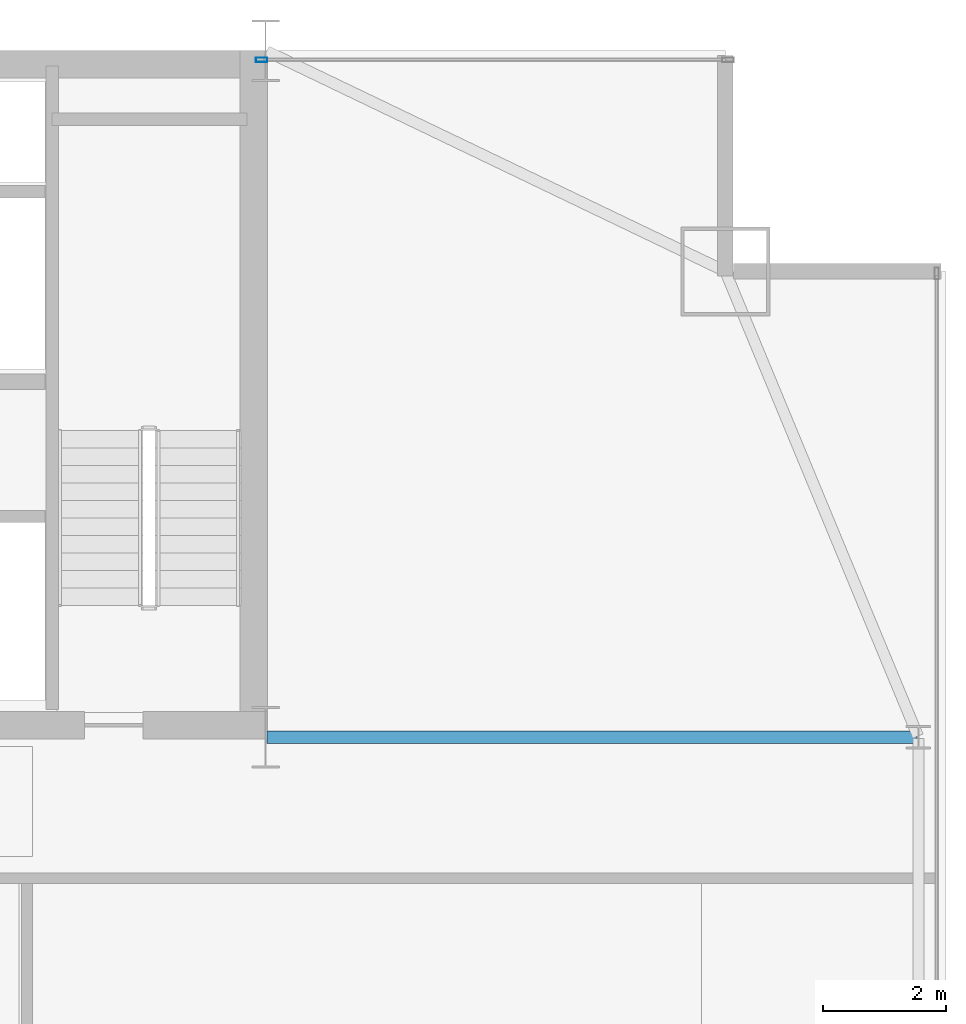
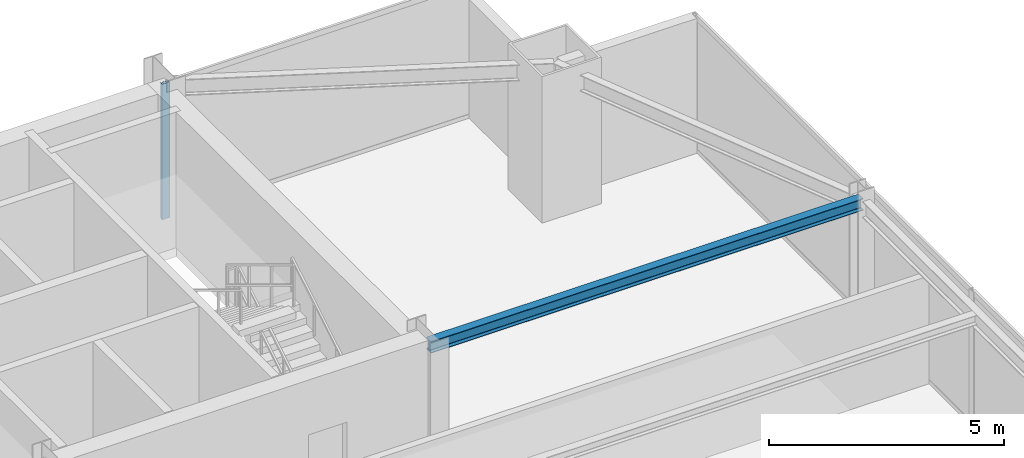
# One storey, part 24 of 31: 1 beam, 1 member, 1 element without a shape of its own.
"""IFC4 building model written with IfcOpenShell, lengths in metres."""

from ifc_helpers import new_model, si_unit, direction, frame, origin, origin_2d, place, context, subcontext, project, spatial, hollow_rectangle, i_section, extrude, source, transform, mapped, material, layer, layer_set, material_profile, profile_set, type_object, type_shapes, element, aggregate, save


model = new_model("IFC4")

# Units and contexts
model_context = context("Model", 3, precision=1e-05, world=origin(), true_north=direction((0.0, 1.0)))
body_context = subcontext(model_context, "Body", "Model", "MODEL_VIEW")
ifc_project = project(units=[si_unit("LENGTHUNIT", "METRE"), si_unit("AREAUNIT", "SQUARE_METRE"), si_unit("VOLUMEUNIT", "CUBIC_METRE"), si_unit("PLANEANGLEUNIT", "RADIAN"), si_unit("MASSUNIT", "GRAM", prefix="KILO")], contexts=[model_context])

# Site, building, storey
site_placement = place(None, origin())
site = spatial("IfcSite", under=ifc_project, at=site_placement, CompositionType="ELEMENT")
building_placement = place(site_placement, origin())
building = spatial("IfcBuilding", under=site, at=building_placement, Name="Varnel Quay Broadcast Tower", CompositionType="ELEMENT")
storey_placement = place(building_placement, frame((0.0, 0.0, 94.60009765625)))
storey = spatial("IfcBuildingStorey", under=building, at=storey_placement, Name="L22", CompositionType="ELEMENT", Elevation=94.60009765625)

# Beam
ifc_material_1 = material(Name="Structural Steel CSA G40.21 350W", Category="steel")
ifc_material_profile_1 = material_profile(ifc_material_1, i_section(OverallWidth=0.202880859375, OverallDepth=0.302978515625, WebThickness=0.007568359375, FlangeThickness=0.01318359375, FilletRadius=0.011962890625, at=origin_2d()), Name="W310X60")
ifc_profile_set_1 = profile_set([ifc_material_profile_1], Name="Structural Steel CSA G40.21 350W")
beam_type = type_object("IfcBeamType", Name="Beam_W310X60", PredefinedType="JOIST", material=ifc_profile_set_1)
shared_shape_1 = source(origin(), body_context, "Body", "SweptSolid", [
    extrude(i_section(OverallWidth=0.202880859375, OverallDepth=0.302978515625, WebThickness=0.007568359375, FlangeThickness=0.01318359375, FilletRadius=0.011962890625, at=origin_2d()), origin(), (0.0, 0.0, 1.0), 10.610107421875),
])
type_shapes(beam_type, [shared_shape_1])
beam_placement = place(storey_placement, frame((52.419921875, 35.60009765625, 3.368408203125), z_axis=(1.0, 0.0, 0.0), x_axis=(0.0, 1.0, 0.0)))
element("IfcBeam", 1, at=beam_placement, inside=storey, type_object=beam_type, Name="L22 East Core Tie Joist", PredefinedType="JOIST", context=body_context, shape_type="MappedRepresentation", body=[
    mapped(shared_shape_1, transform((0.0, 0.0, 0.0), x_axis=(1.0, 0.0, 0.0), y_axis=(0.0, 1.0, 0.0), z_axis=(0.0, 0.0, 1.0), scale=1.0)),
])

# Curtain wall, member
ifc_material_2 = material(Name="Anodised Bronze Aluminium 6063-T6", Category="aluminium")
ifc_layer = layer(ifc_material_2, 0.18994140625, Name="Anodised Bronze Aluminium 6063-T6")
ifc_layer_set = layer_set([ifc_layer], Name="Anodised Bronze Aluminium 6063-T6")
curtain_wall_type = type_object("IfcCurtainWallType", Name="CW_LowerTower", PredefinedType="NOTDEFINED", material=ifc_layer_set)
curtain_wall_placement = place(storey_placement, origin())
curtain_wall = element("IfcCurtainWall", 2, at=curtain_wall_placement, inside=storey, type_object=curtain_wall_type, Name="L22 NE Wing Curtain Wall", PredefinedType="NOTDEFINED")
ifc_material_profile_2 = material_profile(ifc_material_2, hollow_rectangle(XDim=0.070068359375, YDim=0.18994140625, WallThickness=0.00390625, at=origin_2d()), Name="ALU70X190X4")
ifc_profile_set_2 = profile_set([ifc_material_profile_2], Name="Anodised Bronze Aluminium 6063-T6")
member_type = type_object("IfcMemberType", Name="Mull_CWS-02", PredefinedType="MULLION", material=ifc_profile_set_2)
shared_shape_2 = source(origin(), body_context, "Body", "SweptSolid", [
    extrude(hollow_rectangle(XDim=0.070068359375, YDim=0.18994140625, WallThickness=0.00390625, at=origin_2d()), origin(), (0.0, 0.0, 1.0), 3.52001953125),
])
type_shapes(member_type, [shared_shape_2])
member_placement = place(storey_placement, frame((52.3349609375, 46.64990234375, 0.0), z_axis=(0.0, 0.0, 1.0), x_axis=(0.0, 1.0, 0.0)))
member = element("IfcMember", 3, at=member_placement, type_object=member_type, Name="CWS-02 mullion 1", PredefinedType="MULLION", context=body_context, shape_type="MappedRepresentation", body=[
    mapped(shared_shape_2, transform((0.0, 0.0, 0.0), x_axis=(1.0, 0.0, 0.0), y_axis=(0.0, 1.0, 0.0), z_axis=(0.0, 0.0, 1.0), scale=1.0)),
])
aggregate(curtain_wall, [member])

save(model, "model.ifc")
